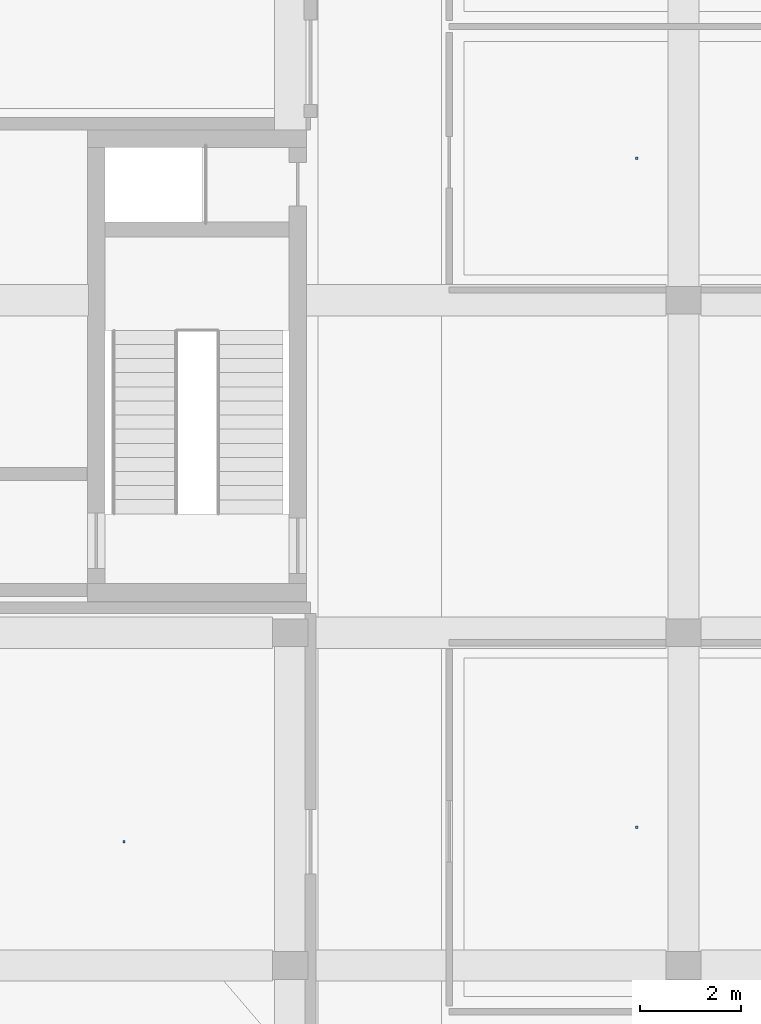
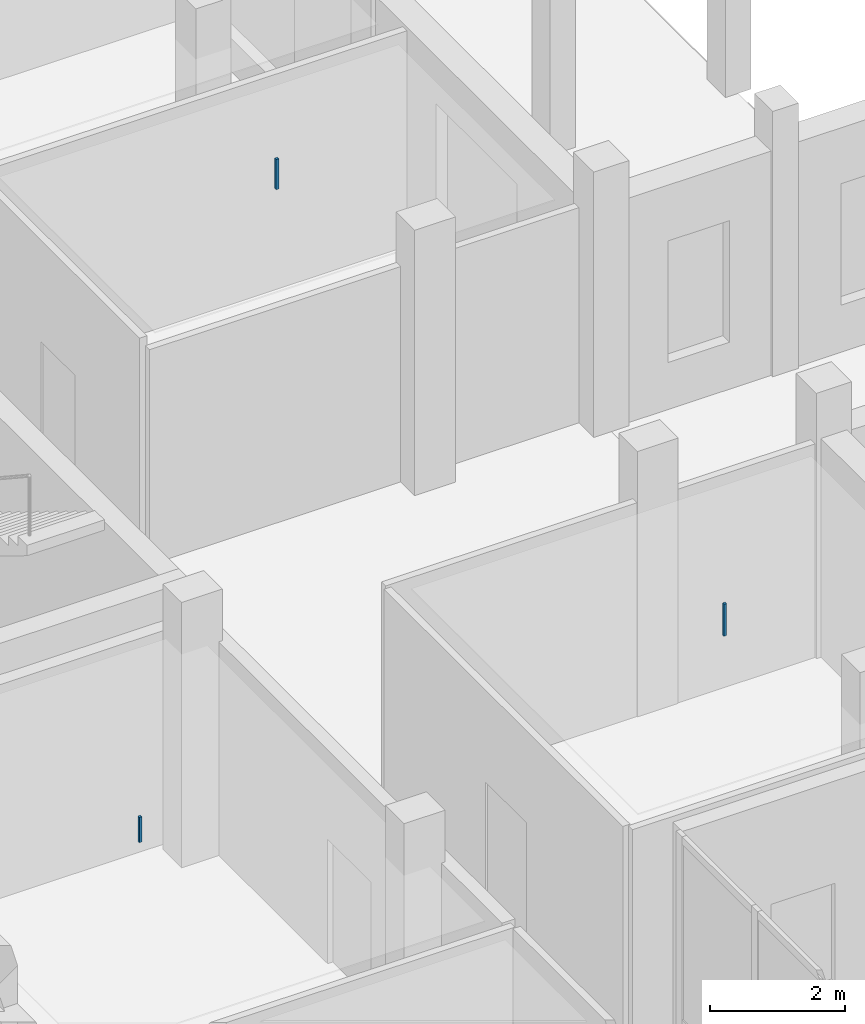
# One storey, part 62 of 88: 3 discrete accessories.
"""IFC4 building model written with IfcOpenShell, lengths in metres."""

from ifc_helpers import new_model, si_unit, derived_unit, direction, frame, origin, origin_2d, place, context, subcontext, project, spatial, rectangle, extrude, material, type_object, element, save


model = new_model("IFC4")

# Units and contexts
model_context = context("Model", 3, precision=1e-05, world=origin(), true_north=direction((0.0, 1.0)))
body_context = subcontext(model_context, "Body", "Model", "MODEL_VIEW")
ifc_project = project(units=[si_unit("LENGTHUNIT", "METRE"), si_unit("AREAUNIT", "SQUARE_METRE"), si_unit("VOLUMEUNIT", "CUBIC_METRE"), si_unit("PLANEANGLEUNIT", "RADIAN"), si_unit("MASSUNIT", "GRAM", prefix="KILO"), derived_unit("THERMALTRANSMITTANCEUNIT", [(si_unit("POWERUNIT", "WATT"), 1), (si_unit("LENGTHUNIT", "METRE"), -2), (si_unit("THERMODYNAMICTEMPERATUREUNIT", "KELVIN"), -1)])], contexts=[model_context])

# Site, building, storey
site_placement = place(None, origin())
site = spatial("IfcSite", under=ifc_project, at=site_placement, CompositionType="ELEMENT")
building_placement = place(site_placement, origin())
building = spatial("IfcBuilding", under=site, at=building_placement, Name="Braskholm Square Health Centre", CompositionType="ELEMENT")
storey_placement = place(building_placement, origin())
storey = spatial("IfcBuildingStorey", under=building, at=storey_placement, Name="L01", CompositionType="ELEMENT", Elevation=0.0)

# Discrete accessories
ifc_material = material(Name="Steel ASTM A500 Grade C", Category="steel")
discrete_accessory_type = type_object("IfcDiscreteAccessoryType", Name="CeilingSuspensionBracket", PredefinedType="BRACKET", material=ifc_material)
discrete_accessory_1_placement = place(storey_placement, frame((8.10205078125, 83.054931640625, 3.85205078125), z_axis=(0.0, 0.0, 1.0), x_axis=(1.0, 0.0, 0.0)))
element("IfcDiscreteAccessory", 1, at=discrete_accessory_1_placement, inside=storey, type_object=discrete_accessory_type, Name="Ceiling hanger bracket 0013", PredefinedType="BRACKET", context=body_context, shape_type="SweptSolid", body=[
    extrude(rectangle(XDim=0.044921875, YDim=0.044921875, at=origin_2d()), origin(), (0.0, 0.0, 1.0), 0.4599609375),
])
discrete_accessory_2_placement = place(storey_placement, frame((18.27294921875, 83.340087890625, 3.85205078125), z_axis=(0.0, 0.0, 1.0), x_axis=(1.0, 0.0, 0.0)))
element("IfcDiscreteAccessory", 2, at=discrete_accessory_2_placement, inside=storey, type_object=discrete_accessory_type, Name="Ceiling hanger bracket 0022", PredefinedType="BRACKET", context=body_context, shape_type="SweptSolid", body=[
    extrude(rectangle(XDim=0.044921875, YDim=0.044921875, at=origin_2d()), origin(), (0.0, 0.0, 1.0), 0.580078125),
])
discrete_accessory_3_placement = place(storey_placement, frame((18.27294921875, 96.614990234375, 3.8818359375), z_axis=(0.0, 0.0, 1.0), x_axis=(1.0, 0.0, 0.0)))
element("IfcDiscreteAccessory", 3, at=discrete_accessory_3_placement, inside=storey, type_object=discrete_accessory_type, Name="Ceiling hanger bracket 0023", PredefinedType="BRACKET", context=body_context, shape_type="SweptSolid", body=[
    extrude(rectangle(XDim=0.044921875, YDim=0.044921875, at=origin_2d()), origin(), (0.0, 0.0, 1.0), 0.550048828125),
])

save(model, "model.ifc")
